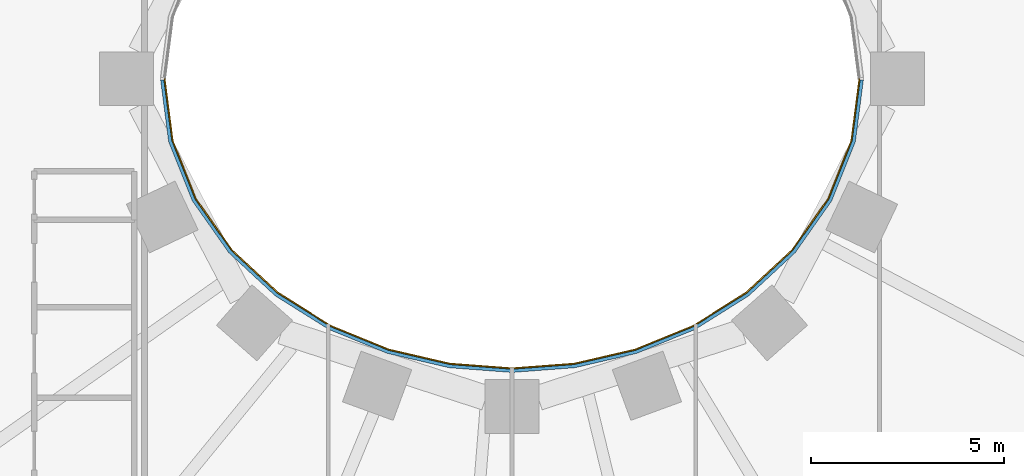
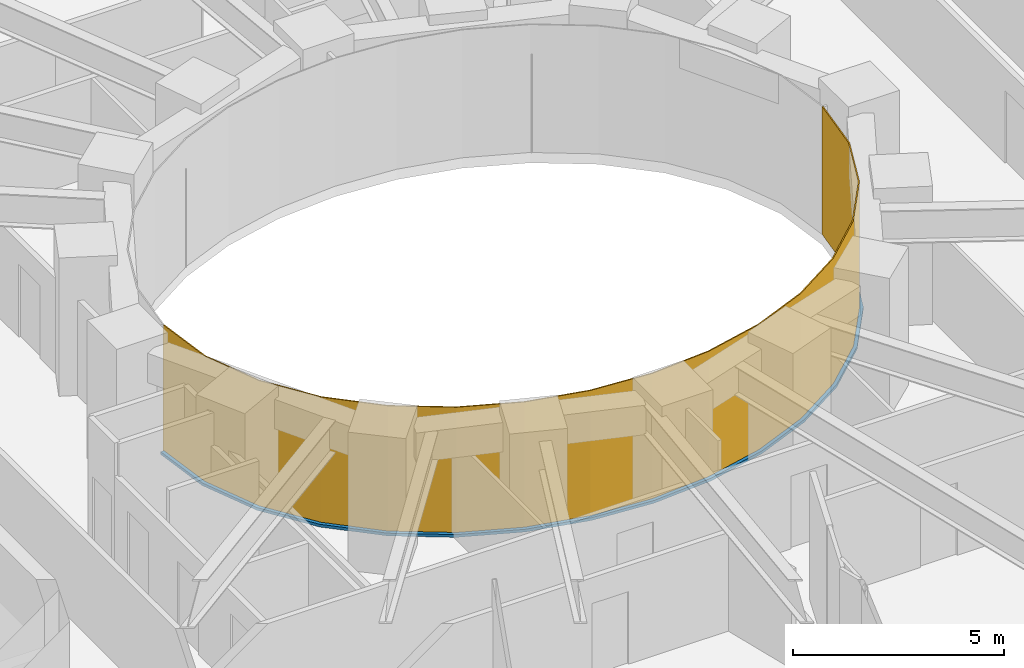
# One storey, part 10 of 16: 1 curtain wall, 1 member.
"""IFC4 building model written with IfcOpenShell, lengths in metres."""

from ifc_helpers import new_model, si_unit, direction, frame, origin, place, context, subcontext, project, spatial, polyline, outline, extrude, material, layer, layer_set, type_object, element, aggregate, save


model = new_model("IFC4")

# Units and contexts
model_context = context("Model", 3, precision=1e-05, world=origin(), true_north=direction((0.0, 1.0)))
body_context = subcontext(model_context, "Body", "Model", "MODEL_VIEW")
ifc_project = project(units=[si_unit("LENGTHUNIT", "METRE"), si_unit("AREAUNIT", "SQUARE_METRE"), si_unit("VOLUMEUNIT", "CUBIC_METRE"), si_unit("PLANEANGLEUNIT", "RADIAN"), si_unit("MASSUNIT", "GRAM", prefix="KILO")], contexts=[model_context])

# Member
ifc_material_1 = material(Name="Steel S355 fire-resisting frame", Category="steel")
member_type = type_object("IfcMemberType", Name="ENV-TRANSOM-W", PredefinedType="USERDEFINED", material=ifc_material_1)
site_placement = place(None, origin())
building_placement = place(site_placement, origin())
storey_placement = place(building_placement, frame((0.0, 0.0, 46.5)))
member_placement = place(storey_placement, origin())
member = element("IfcMember", 1, at=member_placement, type_object=member_type, Name="Transom W well 17-01", ObjectType="TRANSOM", PredefinedType="USERDEFINED", context=body_context, shape_type="SweptSolid", body=[
    extrude(outline(polyline([(-9.119384765625, -0.02783203125), (-8.910400390625, -1.63623046875), (-8.29833984375, -3.167236328125), (-7.35107421875, -4.5146484375), (-6.1455078125, -5.6337890625), (-4.75341796875, -6.50634765625), (-3.233642578125, -7.127685546875), (-1.635498046875, -7.498779296875), (0.0, -7.622314453125), (1.635498046875, -7.498779296875), (3.233642578125, -7.127685546875), (4.75341796875, -6.50634765625), (6.1455078125, -5.6337890625), (7.35107421875, -4.5146484375), (8.29833984375, -3.167236328125), (8.910400390625, -1.63623046875), (9.119384765625, -0.02783203125), (9.02880859375, -0.02783203125), (8.822509765625, -1.61328125), (8.21875, -3.124267578125), (7.282958984375, -4.455078125), (6.090576171875, -5.56201171875), (4.712158203125, -6.426025390625), (3.206298828125, -7.04150390625), (1.621826171875, -7.40966796875), (0.0, -7.531982421875), (-1.621826171875, -7.40966796875), (-3.206298828125, -7.04150390625), (-4.712158203125, -6.426025390625), (-6.090576171875, -5.56201171875), (-7.282958984375, -4.455078125), (-8.21875, -3.124267578125), (-8.822509765625, -1.61328125), (-9.02880859375, -0.02783203125), (-9.119384765625, -0.02783203125)])), origin(), (0.0, 0.0, 1.0), 0.080078125),
])

# Site, building, storey
site = spatial("IfcSite", under=ifc_project, at=site_placement, CompositionType="ELEMENT")
building = spatial("IfcBuilding", under=site, at=building_placement, Name="Noorbagh Ring Tower", CompositionType="ELEMENT")
storey = spatial("IfcBuildingStorey", under=building, at=storey_placement, Name="L09", CompositionType="ELEMENT", Elevation=46.5)

# Curtain wall
ifc_material_2 = material(Name="Glass fire-resisting E60 laminated", Category="glass")
ifc_layer = layer(ifc_material_2, 0.031982421875)
ifc_layer_set = layer_set([ifc_layer], Name="Glass fire-resisting E60 laminated")
curtain_wall_type = type_object("IfcCurtainWallType", Name="ENV-CW-W", PredefinedType="NOTDEFINED", material=ifc_layer_set)
curtain_wall_placement = place(storey_placement, origin())
curtain_wall = element("IfcCurtainWall", 2, at=curtain_wall_placement, inside=storey, type_object=curtain_wall_type, Name="Curtain wall W W17", PredefinedType="NOTDEFINED", context=body_context, shape_type="SweptSolid", body=[
    extrude(outline(polyline([(-9.0322265625, 0.0), (-8.822509765625, -1.61328125), (-8.21875, -3.124267578125), (-7.282958984375, -4.455078125), (-6.090576171875, -5.56201171875), (-4.712158203125, -6.426025390625), (-3.206298828125, -7.04150390625), (-1.621826171875, -7.40966796875), (0.0, -7.531982421875), (1.621826171875, -7.40966796875), (3.206298828125, -7.04150390625), (4.712158203125, -6.426025390625), (6.090576171875, -5.56201171875), (7.282958984375, -4.455078125), (8.21875, -3.124267578125), (8.822509765625, -1.61328125), (9.0322265625, 0.0), (9.0, 0.0), (8.79150390625, -1.605224609375), (8.1904296875, -3.10888671875), (7.2587890625, -4.43408203125), (6.071044921875, -5.53662109375), (4.697509765625, -6.3974609375), (3.196533203125, -7.010986328125), (1.6171875, -7.3779296875), (0.0, -7.5), (-1.6171875, -7.3779296875), (-3.196533203125, -7.010986328125), (-4.697509765625, -6.3974609375), (-6.071044921875, -5.53662109375), (-7.2587890625, -4.43408203125), (-8.1904296875, -3.10888671875), (-8.79150390625, -1.605224609375), (-9.0, 0.0), (-9.0322265625, 0.0)])), origin(), (0.0, 0.0, 1.0), 3.699951171875),
])

aggregate(curtain_wall, [member])

save(model, "model.ifc")
